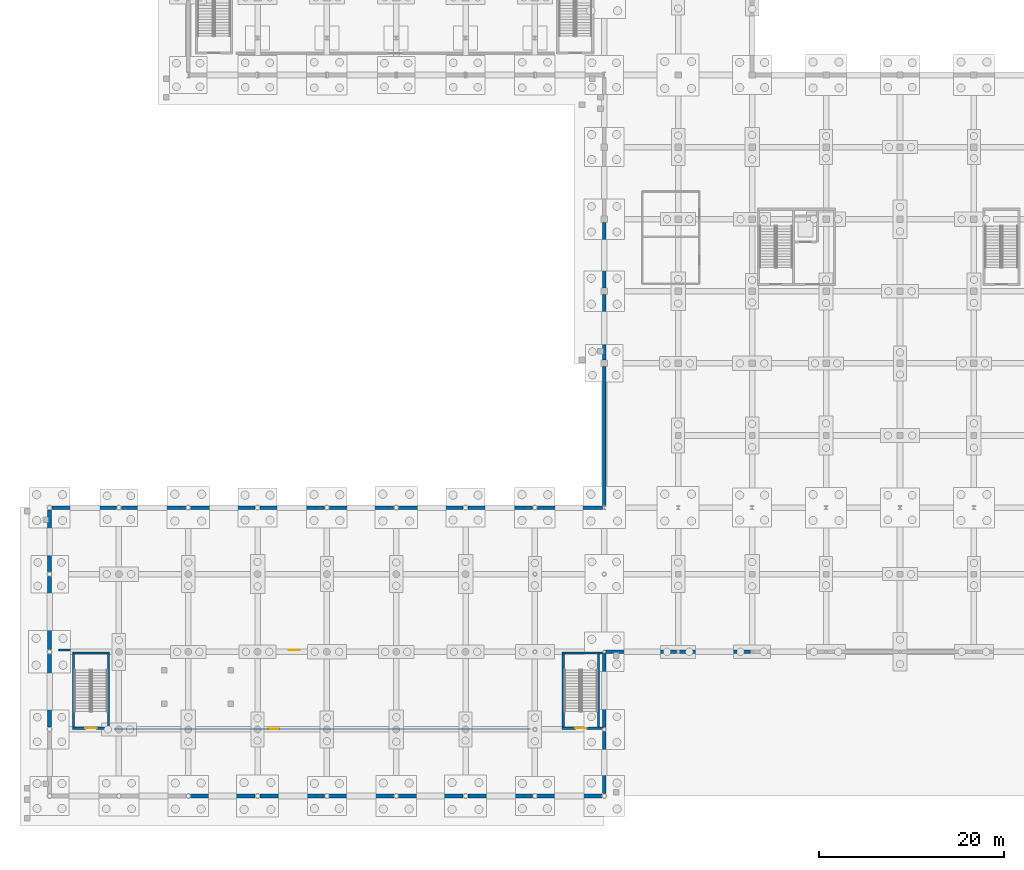
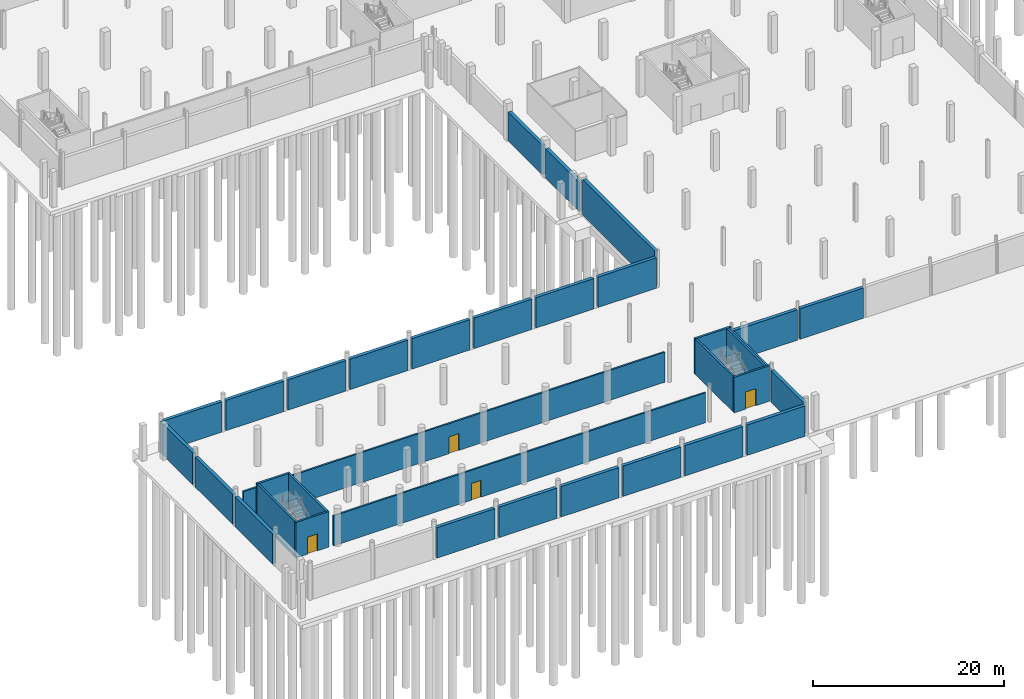
# One storey, part 30 of 44: 34 walls, 4 doors, 4 openings.
"""IFC4 building model written with IfcOpenShell, lengths in metres."""

from ifc_helpers import new_model, si_unit, direction, frame, frame_2d, origin, place, context, subcontext, project, spatial, rectangle, extrude, material, layer, layer_set, type_object, element, fill, save


model = new_model("IFC4")

# Units and contexts
model_context = context("Model", 3, precision=1e-05, world=origin(), true_north=direction((0.0, 1.0)))
body_context = subcontext(model_context, "Body", "Model", "MODEL_VIEW")
ifc_project = project(units=[si_unit("LENGTHUNIT", "METRE"), si_unit("AREAUNIT", "SQUARE_METRE"), si_unit("VOLUMEUNIT", "CUBIC_METRE"), si_unit("PLANEANGLEUNIT", "RADIAN"), si_unit("MASSUNIT", "GRAM", prefix="KILO")], contexts=[model_context])

# Site, building, storey
site_placement = place(None, origin())
site = spatial("IfcSite", under=ifc_project, at=site_placement, CompositionType="ELEMENT")
building_placement = place(site_placement, origin())
building = spatial("IfcBuilding", under=site, at=building_placement, Name="Yukiwa Park Conservatory and Herbarium", CompositionType="ELEMENT")
storey_placement = place(building_placement, frame((0.0, 0.0, -4.800048828125)))
storey = spatial("IfcBuildingStorey", under=building, at=storey_placement, Name="B1", CompositionType="ELEMENT", Elevation=-4.800048828125)

# Walls
ifc_material_1 = material(Name="Concrete C40", Category="concrete")
ifc_layer_1 = layer(ifc_material_1, 0.39990234375)
ifc_layer_set_1 = layer_set([ifc_layer_1], Name="Concrete C40")
wall_type_1 = type_object("IfcWallType", Name="WL-B1-RET400", PredefinedType="SOLIDWALL", material=ifc_layer_set_1)
for number, where, z_axis, x_axis, name in (
    (1, (15.25390625, 0.0, 0.0), (0.0, 0.0, 1.0), (1.0, 0.0, 0.0), "B1 exterior envelope wall 3"),
    (2, (22.75390625, 0.0, 0.0), (0.0, 0.0, 1.0), (1.0, 0.0, 0.0), "B1 exterior envelope wall 4"),
    (3, (30.25390625, 0.0, 0.0), (0.0, 0.0, 1.0), (1.0, 0.0, 0.0), "B1 exterior envelope wall 5"),
    (4, (37.75390625, 0.0, 0.0), (0.0, 0.0, 1.0), (1.0, 0.0, 0.0), "B1 exterior envelope wall 6"),
    (5, (45.25390625, 0.0, 0.0), (0.0, 0.0, 1.0), (1.0, 0.0, 0.0), "B1 exterior envelope wall 7"),
    (6, (52.75390625, 0.0, 0.0), (0.0, 0.0, 1.0), (1.0, 0.0, 0.0), "B1 exterior envelope wall 8"),
):
    element("IfcWall", number, at=place(storey_placement, frame(where, z_axis=z_axis, x_axis=x_axis)), inside=storey, type_object=wall_type_1, Name=name, PredefinedType="SOLIDWALL", context=body_context, shape_type="SweptSolid", body=[
        extrude(rectangle(XDim=6.9921875, YDim=0.39990234375, at=frame_2d((3.49609375, 0.0))), origin(), (0.0, 0.0, 1.0), 3.89013671875),
    ])
wall_1_placement = place(storey_placement, frame((60.0, 0.25390625, 0.0), z_axis=(0.0, 0.0, 1.0), x_axis=(0.0, 1.0, 0.0)))
element("IfcWall", 7, at=wall_1_placement, inside=storey, type_object=wall_type_1, Name="B1 exterior envelope wall 9", PredefinedType="SOLIDWALL", context=body_context, shape_type="SweptSolid", body=[
    extrude(rectangle(XDim=6.733154296875, YDim=0.39990234375, at=frame_2d((3.36669921875, 0.0))), origin(), (0.0, 0.0, 1.0), 4.0400390625),
])
wall_2_placement = place(storey_placement, frame((60.0, 7.4130859375, 0.0), z_axis=(0.0, 0.0, 1.0), x_axis=(0.0, 1.0, 0.0)))
element("IfcWall", 8, at=wall_2_placement, inside=storey, type_object=wall_type_1, Name="B1 exterior envelope wall 10", PredefinedType="SOLIDWALL", context=body_context, shape_type="SweptSolid", body=[
    extrude(rectangle(XDim=8.0244140625, YDim=0.39990234375, at=frame_2d((4.01220703125, 0.0))), origin(), (0.0, 0.0, 1.0), 3.840087890625),
])
for number, where, z_axis, x_axis, name in (
    (9, (60.16259765625, 15.60009765625, 0.0), (0.0, 0.0, 1.0), (1.0, 0.0, 0.0), "B1 exterior envelope wall 11"),
    (10, (68.16259765625, 15.60009765625, 0.0), (0.0, 0.0, 1.0), (1.0, 0.0, 0.0), "B1 exterior envelope wall 12"),
):
    element("IfcWall", number, at=place(storey_placement, frame(where, z_axis=z_axis, x_axis=x_axis)), inside=storey, type_object=wall_type_1, Name=name, PredefinedType="SOLIDWALL", context=body_context, shape_type="SweptSolid", body=[
        extrude(rectangle(XDim=7.6748046875, YDim=0.39990234375, at=frame_2d((3.83740234375, 0.0))), origin(), (0.0, 0.0, 1.0), 3.89013671875),
    ])
for number, where, z_axis, x_axis, name in (
    (11, (60.0, 62.050048828125, 0.0), (0.0, 0.0, 1.0), (0.0, -1.0, 0.0), "B1 exterior envelope wall 75"),
    (12, (60.0, 54.25, 0.0), (0.0, 0.0, 1.0), (0.0, -1.0, 0.0), "B1 exterior envelope wall 76"),
):
    element("IfcWall", number, at=place(storey_placement, frame(where, z_axis=z_axis, x_axis=x_axis)), inside=storey, type_object=wall_type_1, Name=name, PredefinedType="SOLIDWALL", context=body_context, shape_type="SweptSolid", body=[
        extrude(rectangle(XDim=7.10009765625, YDim=0.39990234375, at=frame_2d((3.550048828125, 0.0))), origin(), (0.0, 0.0, 1.0), 3.739990234375),
    ])
wall_3_placement = place(storey_placement, frame((60.0, 46.449951171875, 0.0), z_axis=(0.0, 0.0, 1.0), x_axis=(0.0, -1.0, 0.0)))
element("IfcWall", 13, at=wall_3_placement, inside=storey, type_object=wall_type_1, Name="B1 exterior envelope wall 77", PredefinedType="SOLIDWALL", context=body_context, shape_type="SweptSolid", body=[
    extrude(rectangle(XDim=15.074951171875, YDim=0.39990234375, at=frame_2d((7.53759765625, 0.0))), origin(), (0.0, 0.0, 1.0), 4.5400390625),
])
wall_4_placement = place(storey_placement, frame((59.824951171875, 31.199951171875, 0.0), z_axis=(0.0, 0.0, 1.0), x_axis=(-1.0, 0.0, 0.0)))
element("IfcWall", 14, at=wall_4_placement, inside=storey, type_object=wall_type_1, Name="B1 exterior envelope wall 78", PredefinedType="SOLIDWALL", context=body_context, shape_type="SweptSolid", body=[
    extrude(rectangle(XDim=7.071044921875, YDim=0.39990234375, at=frame_2d((3.53564453125, 0.0))), origin(), (0.0, 0.0, 1.0), 3.89013671875),
])
for number, where, z_axis, x_axis, name in (
    (15, (52.24609375, 31.199951171875, 0.0), (0.0, 0.0, 1.0), (-1.0, 0.0, 0.0), "B1 exterior envelope wall 79"),
    (16, (44.74609375, 31.199951171875, 0.0), (0.0, 0.0, 1.0), (-1.0, 0.0, 0.0), "B1 exterior envelope wall 80"),
    (17, (37.24609375, 31.199951171875, 0.0), (0.0, 0.0, 1.0), (-1.0, 0.0, 0.0), "B1 exterior envelope wall 81"),
    (18, (29.74609375, 31.199951171875, 0.0), (0.0, 0.0, 1.0), (-1.0, 0.0, 0.0), "B1 exterior envelope wall 82"),
    (19, (22.24609375, 31.199951171875, 0.0), (0.0, 0.0, 1.0), (-1.0, 0.0, 0.0), "B1 exterior envelope wall 83"),
    (20, (14.74609375, 31.199951171875, 0.0), (0.0, 0.0, 1.0), (-1.0, 0.0, 0.0), "B1 exterior envelope wall 84"),
    (21, (7.24609375, 31.199951171875, 0.0), (0.0, 0.0, 1.0), (-1.0, 0.0, 0.0), "B1 exterior envelope wall 85"),
):
    element("IfcWall", number, at=place(storey_placement, frame(where, z_axis=z_axis, x_axis=x_axis)), inside=storey, type_object=wall_type_1, Name=name, PredefinedType="SOLIDWALL", context=body_context, shape_type="SweptSolid", body=[
        extrude(rectangle(XDim=6.9921875, YDim=0.39990234375, at=frame_2d((3.49609375, 0.0))), origin(), (0.0, 0.0, 1.0), 3.89013671875),
    ])
wall_5_placement = place(storey_placement, frame((0.0, 30.946044921875, 0.0), z_axis=(0.0, 0.0, 1.0), x_axis=(0.0, -1.0, 0.0)))
element("IfcWall", 22, at=wall_5_placement, inside=storey, type_object=wall_type_1, Name="B1 exterior envelope wall 86", PredefinedType="SOLIDWALL", context=body_context, shape_type="SweptSolid", body=[
    extrude(rectangle(XDim=6.692138671875, YDim=0.39990234375, at=frame_2d((3.34619140625, 0.0))), origin(), (0.0, 0.0, 1.0), 4.0400390625),
])
wall_6_placement = place(storey_placement, frame((0.0, 23.74609375, 0.0), z_axis=(0.0, 0.0, 1.0), x_axis=(0.0, -1.0, 0.0)))
element("IfcWall", 23, at=wall_6_placement, inside=storey, type_object=wall_type_1, Name="B1 exterior envelope wall 87", PredefinedType="SOLIDWALL", context=body_context, shape_type="SweptSolid", body=[
    extrude(rectangle(XDim=7.89208984375, YDim=0.39990234375, at=frame_2d((3.946044921875, 0.0))), origin(), (0.0, 0.0, 1.0), 3.840087890625),
])
wall_7_placement = place(storey_placement, frame((0.0, 15.345947265625, 0.0), z_axis=(0.0, 0.0, 1.0), x_axis=(0.0, -1.0, 0.0)))
element("IfcWall", 24, at=wall_7_placement, inside=storey, type_object=wall_type_1, Name="B1 exterior envelope wall 88", PredefinedType="SOLIDWALL", context=body_context, shape_type="SweptSolid", body=[
    extrude(rectangle(XDim=7.891845703125, YDim=0.39990234375, at=frame_2d((3.94580078125, 0.0))), origin(), (0.0, 0.0, 1.0), 3.840087890625),
])

# Wall, opening, door
ifc_material_2 = material(Name="Concrete C50", Category="concrete")
ifc_layer_2 = layer(ifc_material_2, 0.239990234375)
ifc_layer_set_2 = layer_set([ifc_layer_2], Name="Concrete C50")
wall_type_2 = type_object("IfcWallType", Name="WL-CORE-RC240", PredefinedType="SHEAR", material=ifc_layer_set_2)
wall_8_placement = place(storey_placement, frame((2.4599609375, 7.330078125, 0.0), z_axis=(0.0, 0.0, 1.0), x_axis=(1.0, 0.0, 0.0)))
wall_8 = element("IfcWall", 25, at=wall_8_placement, inside=storey, type_object=wall_type_2, Name="B1 core shear wall 36", PredefinedType="SHEAR", context=body_context, shape_type="SweptSolid", body=[
    extrude(rectangle(XDim=4.030029296875, YDim=0.239990234375, at=frame_2d((2.01513671875, 0.0))), origin(), (0.0, 0.0, 1.0), 4.5400390625),
])
opening_1_placement = place(wall_8_placement, frame((1.4150390625, 0.0, 0.0)))
opening_1 = element("IfcOpeningElement", 26, at=opening_1_placement, cuts=wall_8, Name="Opening SD-01", PredefinedType="OPENING", context=body_context, shape_type="SweptSolid", body=[
    extrude(rectangle(XDim=1.219970703125, YDim=2.179931640625, at=frame_2d((0.60986328125, 1.08984375))), frame((0.0, 0.1298828125, 0.0), z_axis=(0.0, -1.0, 0.0), x_axis=(1.0, 0.0, 0.0)), (0.0, 0.0, 1.0), 0.260009765625),
])
ifc_material_3 = material(Name="Steel Q235B", Category="steel")
door_type_1 = type_object("IfcDoorType", Name="DR-STAIR-FD90-1200", OperationType="SINGLE_SWING_LEFT", PredefinedType="DOOR", material=ifc_material_3)
door_1_placement = place(opening_1_placement, origin())
door_1 = element("IfcDoor", 27, at=door_1_placement, inside=storey, type_object=door_type_1, Name="B1 Stairwell ST-C1 fire door", OperationType="SINGLE_SWING_LEFT", OverallHeight=2.179931640625, OverallWidth=1.219970703125, PredefinedType="DOOR", context=body_context, shape_type="SweptSolid", body=[
    extrude(rectangle(XDim=1.219970703125, YDim=2.179931640625, at=frame_2d((0.60986328125, 1.08984375))), frame((0.0, 0.02490234375, 0.0), z_axis=(0.0, -1.0, 0.0), x_axis=(1.0, 0.0, 0.0)), (0.0, 0.0, 1.0), 0.050048828125),
])
fill(opening_1, door_1)

# Walls
wall_9_placement = place(storey_placement, frame((2.4599609375, 15.469970703125, 0.0), z_axis=(0.0, 0.0, 1.0), x_axis=(1.0, 0.0, 0.0)))
element("IfcWall", 28, at=wall_9_placement, inside=storey, type_object=wall_type_2, Name="B1 core shear wall 37", PredefinedType="SHEAR", context=body_context, shape_type="SweptSolid", body=[
    extrude(rectangle(XDim=4.030029296875, YDim=0.239990234375, at=frame_2d((2.01513671875, 0.0))), origin(), (0.0, 0.0, 1.0), 4.5400390625),
])
for number, where, z_axis, x_axis, name in (
    (29, (2.580078125, 7.449951171875, 0.0), (0.0, 0.0, 1.0), (0.0, 1.0, 0.0), "B1 core shear wall 38"),
    (30, (6.3701171875, 7.449951171875, 0.0), (0.0, 0.0, 1.0), (0.0, 1.0, 0.0), "B1 core shear wall 39"),
):
    element("IfcWall", number, at=place(storey_placement, frame(where, z_axis=z_axis, x_axis=x_axis)), inside=storey, type_object=wall_type_2, Name=name, PredefinedType="SHEAR", context=body_context, shape_type="SweptSolid", body=[
        extrude(rectangle(XDim=7.900146484375, YDim=0.239990234375, at=frame_2d((3.9501953125, 0.0))), origin(), (0.0, 0.0, 1.0), 4.5400390625),
    ])

# Wall, opening, door
wall_10_placement = place(storey_placement, frame((55.4599609375, 7.330078125, 0.0), z_axis=(0.0, 0.0, 1.0), x_axis=(1.0, 0.0, 0.0)))
wall_10 = element("IfcWall", 31, at=wall_10_placement, inside=storey, type_object=wall_type_2, Name="B1 core shear wall 40", PredefinedType="SHEAR", context=body_context, shape_type="SweptSolid", body=[
    extrude(rectangle(XDim=4.380126953125, YDim=0.239990234375, at=frame_2d((2.18994140625, 0.0))), origin(), (0.0, 0.0, 1.0), 4.5400390625),
])
opening_2_placement = place(wall_10_placement, frame((1.4150390625, 0.0, 0.0)))
opening_2 = element("IfcOpeningElement", 32, at=opening_2_placement, cuts=wall_10, Name="Opening SD-01", PredefinedType="OPENING", context=body_context, shape_type="SweptSolid", body=[
    extrude(rectangle(XDim=1.219970703125, YDim=2.179931640625, at=frame_2d((0.60986328125, 1.08984375))), frame((0.0, 0.1298828125, 0.0), z_axis=(0.0, -1.0, 0.0), x_axis=(1.0, 0.0, 0.0)), (0.0, 0.0, 1.0), 0.260009765625),
])
door_2_placement = place(opening_2_placement, origin())
door_2 = element("IfcDoor", 33, at=door_2_placement, inside=storey, type_object=door_type_1, Name="B1 Stairwell ST-C2 fire door", OperationType="SINGLE_SWING_LEFT", OverallHeight=2.179931640625, OverallWidth=1.219970703125, PredefinedType="DOOR", context=body_context, shape_type="SweptSolid", body=[
    extrude(rectangle(XDim=1.219970703125, YDim=2.179931640625, at=frame_2d((0.60986328125, 1.08984375))), frame((0.0, 0.02490234375, 0.0), z_axis=(0.0, -1.0, 0.0), x_axis=(1.0, 0.0, 0.0)), (0.0, 0.0, 1.0), 0.050048828125),
])
fill(opening_2, door_2)

# Walls
wall_11_placement = place(storey_placement, frame((55.4599609375, 15.469970703125, 0.0), z_axis=(0.0, 0.0, 1.0), x_axis=(1.0, 0.0, 0.0)))
element("IfcWall", 34, at=wall_11_placement, inside=storey, type_object=wall_type_2, Name="B1 core shear wall 41", PredefinedType="SHEAR", context=body_context, shape_type="SweptSolid", body=[
    extrude(rectangle(XDim=4.380126953125, YDim=0.239990234375, at=frame_2d((2.18994140625, 0.0))), origin(), (0.0, 0.0, 1.0), 4.5400390625),
])
for number, where, z_axis, x_axis, name in (
    (35, (55.580078125, 7.449951171875, 0.0), (0.0, 0.0, 1.0), (0.0, 1.0, 0.0), "B1 core shear wall 42"),
    (36, (59.3701171875, 7.449951171875, 0.0), (0.0, 0.0, 1.0), (0.0, 1.0, 0.0), "B1 core shear wall 43"),
):
    element("IfcWall", number, at=place(storey_placement, frame(where, z_axis=z_axis, x_axis=x_axis)), inside=storey, type_object=wall_type_2, Name=name, PredefinedType="SHEAR", context=body_context, shape_type="SweptSolid", body=[
        extrude(rectangle(XDim=7.900146484375, YDim=0.239990234375, at=frame_2d((3.9501953125, 0.0))), origin(), (0.0, 0.0, 1.0), 4.5400390625),
    ])

# Wall, opening, door
ifc_material_4 = material(Name="Gypsum Board Partition", Category="gypsum")
ifc_layer_3 = layer(ifc_material_4, 0.199951171875)
ifc_layer_set_3 = layer_set([ifc_layer_3], Name="Gypsum Board Partition")
wall_type_3 = type_object("IfcWallType", Name="WL-PART-FIRE-200", PredefinedType="SOLIDWALL", material=ifc_layer_set_3)
wall_12_placement = place(storey_placement, frame((1.0, 15.800048828125, 0.0), z_axis=(0.0, 0.0, 1.0), x_axis=(1.0, 0.0, 0.0)))
wall_12 = element("IfcWall", 37, at=wall_12_placement, inside=storey, type_object=wall_type_3, Name="B1 interior partition wall 58", PredefinedType="SOLIDWALL", context=body_context, shape_type="SweptSolid", body=[
    extrude(rectangle(XDim=51.0, YDim=0.199951171875, at=frame_2d((25.5, 0.0))), origin(), (0.0, 0.0, 1.0), 3.840087890625),
])
opening_3_placement = place(wall_12_placement, frame((24.89990234375, 0.0, 0.0)))
opening_3 = element("IfcOpeningElement", 38, at=opening_3_placement, cuts=wall_12, Name="Opening FD-05", PredefinedType="OPENING", context=body_context, shape_type="SweptSolid", body=[
    extrude(rectangle(XDim=1.179931640625, YDim=2.14990234375, at=frame_2d((0.58984375, 1.074951171875))), frame((0.0, 0.10986328125, 0.0), z_axis=(0.0, -1.0, 0.0), x_axis=(1.0, 0.0, 0.0)), (0.0, 0.0, 1.0), 0.219970703125),
])
ifc_material_5 = material(Name="Steel Q235B", Category="steel")
door_type_2 = type_object("IfcDoorType", Name="DR-FIRE-FD60-1200", OperationType="SINGLE_SWING_LEFT", PredefinedType="DOOR", material=ifc_material_5)
door_3_placement = place(opening_3_placement, origin())
door_3 = element("IfcDoor", 39, at=door_3_placement, inside=storey, type_object=door_type_2, Name="B1 Hydronic plant fire door", OperationType="SINGLE_SWING_LEFT", OverallHeight=2.14990234375, OverallWidth=1.179931640625, PredefinedType="DOOR", context=body_context, shape_type="SweptSolid", body=[
    extrude(rectangle(XDim=1.179931640625, YDim=2.14990234375, at=frame_2d((0.58984375, 1.074951171875))), frame((0.0, 0.02490234375, 0.0), z_axis=(0.0, -1.0, 0.0), x_axis=(1.0, 0.0, 0.0)), (0.0, 0.0, 1.0), 0.050048828125),
])
fill(opening_3, door_3)

wall_13_placement = place(storey_placement, frame((7.0, 7.25, 0.0), z_axis=(0.0, 0.0, 1.0), x_axis=(1.0, 0.0, 0.0)))
wall_13 = element("IfcWall", 40, at=wall_13_placement, inside=storey, type_object=wall_type_3, Name="B1 interior partition wall 59", PredefinedType="SOLIDWALL", context=body_context, shape_type="SweptSolid", body=[
    extrude(rectangle(XDim=45.0, YDim=0.199951171875, at=frame_2d((22.5, 0.0))), origin(), (0.0, 0.0, 1.0), 3.840087890625),
])
opening_4_placement = place(wall_13_placement, frame((16.64404296875, 0.0, 0.0)))
opening_4 = element("IfcOpeningElement", 41, at=opening_4_placement, cuts=wall_13, Name="Opening FD-05", PredefinedType="OPENING", context=body_context, shape_type="SweptSolid", body=[
    extrude(rectangle(XDim=1.179931640625, YDim=2.14990234375, at=frame_2d((0.58984375, 1.074951171875))), frame((0.0, 0.10986328125, 0.0), z_axis=(0.0, -1.0, 0.0), x_axis=(1.0, 0.0, 0.0)), (0.0, 0.0, 1.0), 0.219970703125),
])
door_4_placement = place(opening_4_placement, origin())
door_4 = element("IfcDoor", 42, at=door_4_placement, inside=storey, type_object=door_type_2, Name="B1 Rainwater plant fire door", OperationType="SINGLE_SWING_LEFT", OverallHeight=2.14990234375, OverallWidth=1.179931640625, PredefinedType="DOOR", context=body_context, shape_type="SweptSolid", body=[
    extrude(rectangle(XDim=1.179931640625, YDim=2.14990234375, at=frame_2d((0.58984375, 1.074951171875))), frame((0.0, 0.02490234375, 0.0), z_axis=(0.0, -1.0, 0.0), x_axis=(1.0, 0.0, 0.0)), (0.0, 0.0, 1.0), 0.050048828125),
])
fill(opening_4, door_4)

save(model, "model.ifc")
